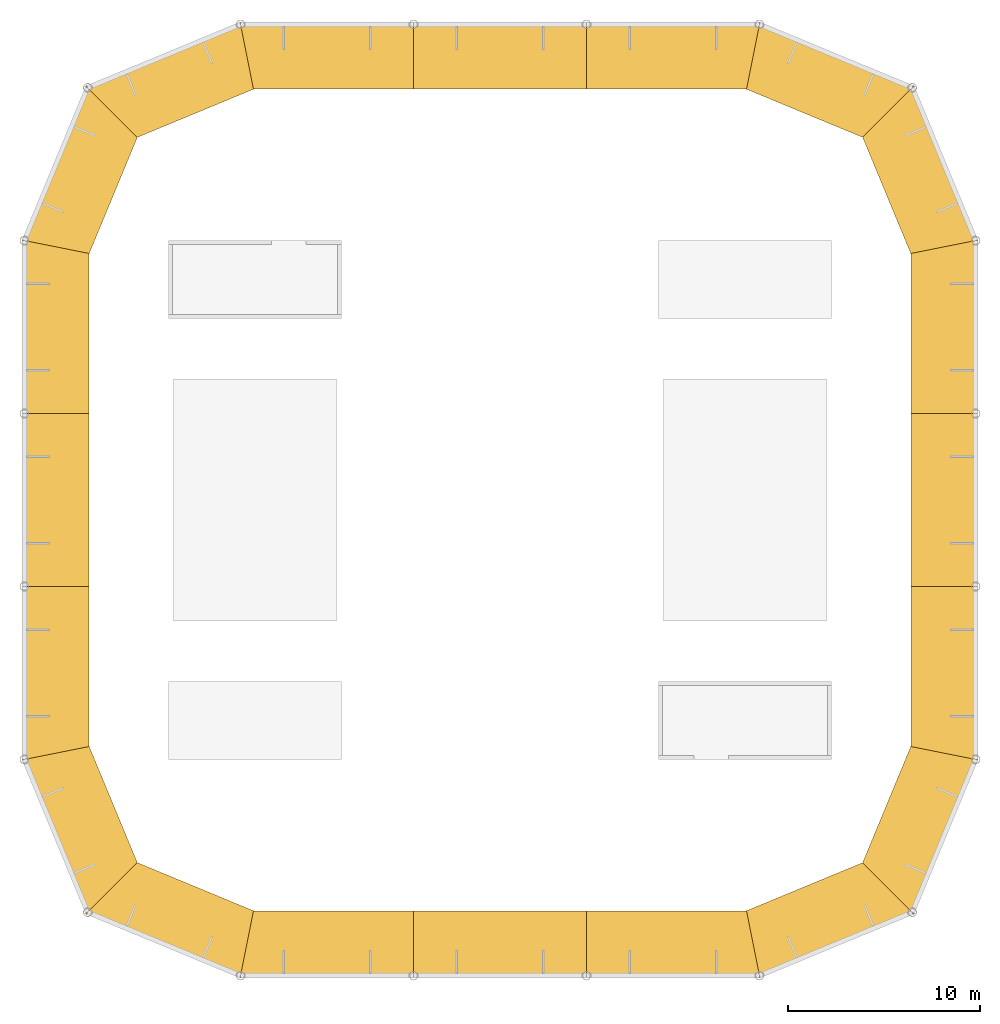
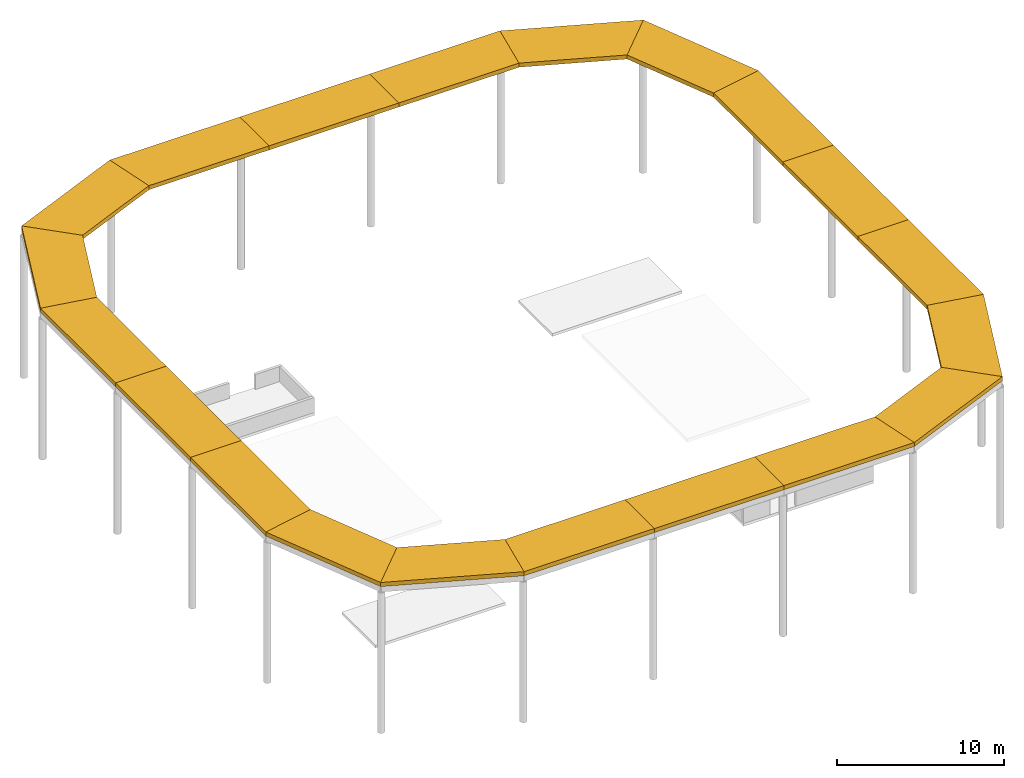
# One storey, part 4 of 4: 20 shading devices.
"""IFC4 building model written with IfcOpenShell, lengths in metres."""

from ifc_helpers import new_model, si_unit, direction, frame, origin, place, context, subcontext, project, spatial, polyline, outline, extrude, material, layer, layer_set, type_object, element, save


model = new_model("IFC4")

# Units and contexts
model_context = context("Model", 3, precision=1e-05, world=origin(), true_north=direction((0.0, 1.0)))
body_context = subcontext(model_context, "Body", "Model", "MODEL_VIEW")
ifc_project = project(units=[si_unit("LENGTHUNIT", "METRE"), si_unit("AREAUNIT", "SQUARE_METRE"), si_unit("VOLUMEUNIT", "CUBIC_METRE"), si_unit("PLANEANGLEUNIT", "RADIAN"), si_unit("MASSUNIT", "GRAM", prefix="KILO")], contexts=[model_context])

# Site, building, storey
site_placement = place(None, origin())
site = spatial("IfcSite", under=ifc_project, at=site_placement, CompositionType="ELEMENT")
building_placement = place(site_placement, origin())
building = spatial("IfcBuilding", under=site, at=building_placement, Name="Siwar Civic Tower", CompositionType="ELEMENT")
storey_placement = place(building_placement, frame((0.0, 0.0, 361.199951171875)))
storey = spatial("IfcBuildingStorey", under=building, at=storey_placement, Name="UPPER ROOF", CompositionType="ELEMENT", Elevation=361.199951171875)

# Shading devices
ifc_material = material(Name="Aluminium louvre blade, pale metal", Category="aluminium")
ifc_layer = layer(ifc_material, 0.300048828125)
ifc_layer_set = layer_set([ifc_layer], Name="Aluminium louvre blade, pale metal")
shading_device_type = type_object("IfcShadingDeviceType", Name="ENV-LOUVRE CANOPY", PredefinedType="JALOUSIE", material=ifc_layer_set)
shading_device_1_placement = place(storey_placement, frame((0.0, 0.0, 10.699951171875)))
element("IfcShadingDevice", 1, at=shading_device_1_placement, inside=storey, type_object=shading_device_type, Name="LOUVRE canopy rim 1", PredefinedType="JALOUSIE", context=body_context, shape_type="SweptSolid", body=[
    extrude(outline(polyline([(-13.52490234375, -24.875), (-4.5, -24.875), (-4.5, -21.375), (-12.82861328125, -21.375), (-13.52490234375, -24.875)])), origin(), (0.0, 0.0, 1.0), 0.300048828125),
])
shading_device_2_placement = place(storey_placement, frame((0.0, 0.0, 10.699951171875)))
element("IfcShadingDevice", 2, at=shading_device_2_placement, inside=storey, type_object=shading_device_type, Name="LOUVRE canopy rim 2", PredefinedType="JALOUSIE", context=body_context, shape_type="SweptSolid", body=[
    extrude(outline(polyline([(-4.5, -24.875), (4.5, -24.875), (4.5, -21.375), (-4.5, -21.375), (-4.5, -24.875)])), origin(), (0.0, 0.0, 1.0), 0.300048828125),
])
shading_device_3_placement = place(storey_placement, frame((0.0, 0.0, 10.699951171875)))
element("IfcShadingDevice", 3, at=shading_device_3_placement, inside=storey, type_object=shading_device_type, Name="LOUVRE canopy rim 3", PredefinedType="JALOUSIE", context=body_context, shape_type="SweptSolid", body=[
    extrude(outline(polyline([(4.5, -24.875), (13.52490234375, -24.875), (12.82861328125, -21.375), (4.5, -21.375), (4.5, -24.875)])), origin(), (0.0, 0.0, 1.0), 0.300048828125),
])
shading_device_4_placement = place(storey_placement, frame((0.0, 0.0, 10.699951171875)))
element("IfcShadingDevice", 4, at=shading_device_4_placement, inside=storey, type_object=shading_device_type, Name="LOUVRE canopy rim 4", PredefinedType="JALOUSIE", context=body_context, shape_type="SweptSolid", body=[
    extrude(outline(polyline([(13.52490234375, -24.875), (21.550537109375, -21.550537109375), (18.871826171875, -18.871826171875), (12.82861328125, -21.375), (13.52490234375, -24.875)])), origin(), (0.0, 0.0, 1.0), 0.300048828125),
])
shading_device_5_placement = place(storey_placement, frame((0.0, 0.0, 10.699951171875)))
element("IfcShadingDevice", 5, at=shading_device_5_placement, inside=storey, type_object=shading_device_type, Name="LOUVRE canopy rim 5", PredefinedType="JALOUSIE", context=body_context, shape_type="SweptSolid", body=[
    extrude(outline(polyline([(21.550537109375, -21.550537109375), (24.875, -13.52490234375), (21.375, -12.82861328125), (18.871826171875, -18.871826171875), (21.550537109375, -21.550537109375)])), origin(), (0.0, 0.0, 1.0), 0.300048828125),
])
shading_device_6_placement = place(storey_placement, frame((0.0, 0.0, 10.699951171875)))
element("IfcShadingDevice", 6, at=shading_device_6_placement, inside=storey, type_object=shading_device_type, Name="LOUVRE canopy rim 6", PredefinedType="JALOUSIE", context=body_context, shape_type="SweptSolid", body=[
    extrude(outline(polyline([(24.875, -13.52490234375), (24.875, -4.5), (21.375, -4.5), (21.375, -12.82861328125), (24.875, -13.52490234375)])), origin(), (0.0, 0.0, 1.0), 0.300048828125),
])
shading_device_7_placement = place(storey_placement, frame((0.0, 0.0, 10.699951171875)))
element("IfcShadingDevice", 7, at=shading_device_7_placement, inside=storey, type_object=shading_device_type, Name="LOUVRE canopy rim 7", PredefinedType="JALOUSIE", context=body_context, shape_type="SweptSolid", body=[
    extrude(outline(polyline([(24.875, -4.5), (24.875, 4.5), (21.375, 4.5), (21.375, -4.5), (24.875, -4.5)])), origin(), (0.0, 0.0, 1.0), 0.300048828125),
])
shading_device_8_placement = place(storey_placement, frame((0.0, 0.0, 10.699951171875)))
element("IfcShadingDevice", 8, at=shading_device_8_placement, inside=storey, type_object=shading_device_type, Name="LOUVRE canopy rim 8", PredefinedType="JALOUSIE", context=body_context, shape_type="SweptSolid", body=[
    extrude(outline(polyline([(24.875, 4.5), (24.875, 13.52490234375), (21.375, 12.82861328125), (21.375, 4.5), (24.875, 4.5)])), origin(), (0.0, 0.0, 1.0), 0.300048828125),
])
shading_device_9_placement = place(storey_placement, frame((0.0, 0.0, 10.699951171875)))
element("IfcShadingDevice", 9, at=shading_device_9_placement, inside=storey, type_object=shading_device_type, Name="LOUVRE canopy rim 9", PredefinedType="JALOUSIE", context=body_context, shape_type="SweptSolid", body=[
    extrude(outline(polyline([(24.875, 13.52490234375), (21.550537109375, 21.550537109375), (18.871826171875, 18.871826171875), (21.375, 12.82861328125), (24.875, 13.52490234375)])), origin(), (0.0, 0.0, 1.0), 0.300048828125),
])
shading_device_10_placement = place(storey_placement, frame((0.0, 0.0, 10.699951171875)))
element("IfcShadingDevice", 10, at=shading_device_10_placement, inside=storey, type_object=shading_device_type, Name="LOUVRE canopy rim 10", PredefinedType="JALOUSIE", context=body_context, shape_type="SweptSolid", body=[
    extrude(outline(polyline([(21.550537109375, 21.550537109375), (13.52490234375, 24.875), (12.82861328125, 21.375), (18.871826171875, 18.871826171875), (21.550537109375, 21.550537109375)])), origin(), (0.0, 0.0, 1.0), 0.300048828125),
])
shading_device_11_placement = place(storey_placement, frame((0.0, 0.0, 10.699951171875)))
element("IfcShadingDevice", 11, at=shading_device_11_placement, inside=storey, type_object=shading_device_type, Name="LOUVRE canopy rim 11", PredefinedType="JALOUSIE", context=body_context, shape_type="SweptSolid", body=[
    extrude(outline(polyline([(13.52490234375, 24.875), (4.5, 24.875), (4.5, 21.375), (12.82861328125, 21.375), (13.52490234375, 24.875)])), origin(), (0.0, 0.0, 1.0), 0.300048828125),
])
shading_device_12_placement = place(storey_placement, frame((0.0, 0.0, 10.699951171875)))
element("IfcShadingDevice", 12, at=shading_device_12_placement, inside=storey, type_object=shading_device_type, Name="LOUVRE canopy rim 12", PredefinedType="JALOUSIE", context=body_context, shape_type="SweptSolid", body=[
    extrude(outline(polyline([(4.5, 24.875), (-4.5, 24.875), (-4.5, 21.375), (4.5, 21.375), (4.5, 24.875)])), origin(), (0.0, 0.0, 1.0), 0.300048828125),
])
shading_device_13_placement = place(storey_placement, frame((0.0, 0.0, 10.699951171875)))
element("IfcShadingDevice", 13, at=shading_device_13_placement, inside=storey, type_object=shading_device_type, Name="LOUVRE canopy rim 13", PredefinedType="JALOUSIE", context=body_context, shape_type="SweptSolid", body=[
    extrude(outline(polyline([(-4.5, 24.875), (-13.52490234375, 24.875), (-12.82861328125, 21.375), (-4.5, 21.375), (-4.5, 24.875)])), origin(), (0.0, 0.0, 1.0), 0.300048828125),
])
shading_device_14_placement = place(storey_placement, frame((0.0, 0.0, 10.699951171875)))
element("IfcShadingDevice", 14, at=shading_device_14_placement, inside=storey, type_object=shading_device_type, Name="LOUVRE canopy rim 14", PredefinedType="JALOUSIE", context=body_context, shape_type="SweptSolid", body=[
    extrude(outline(polyline([(-13.52490234375, 24.875), (-21.550537109375, 21.550537109375), (-18.871826171875, 18.871826171875), (-12.82861328125, 21.375), (-13.52490234375, 24.875)])), origin(), (0.0, 0.0, 1.0), 0.300048828125),
])
shading_device_15_placement = place(storey_placement, frame((0.0, 0.0, 10.699951171875)))
element("IfcShadingDevice", 15, at=shading_device_15_placement, inside=storey, type_object=shading_device_type, Name="LOUVRE canopy rim 15", PredefinedType="JALOUSIE", context=body_context, shape_type="SweptSolid", body=[
    extrude(outline(polyline([(-21.550537109375, 21.550537109375), (-24.875, 13.52490234375), (-21.375, 12.82861328125), (-18.871826171875, 18.871826171875), (-21.550537109375, 21.550537109375)])), origin(), (0.0, 0.0, 1.0), 0.300048828125),
])
shading_device_16_placement = place(storey_placement, frame((0.0, 0.0, 10.699951171875)))
element("IfcShadingDevice", 16, at=shading_device_16_placement, inside=storey, type_object=shading_device_type, Name="LOUVRE canopy rim 16", PredefinedType="JALOUSIE", context=body_context, shape_type="SweptSolid", body=[
    extrude(outline(polyline([(-24.875, 13.52490234375), (-24.875, 4.5), (-21.375, 4.5), (-21.375, 12.82861328125), (-24.875, 13.52490234375)])), origin(), (0.0, 0.0, 1.0), 0.300048828125),
])
shading_device_17_placement = place(storey_placement, frame((0.0, 0.0, 10.699951171875)))
element("IfcShadingDevice", 17, at=shading_device_17_placement, inside=storey, type_object=shading_device_type, Name="LOUVRE canopy rim 17", PredefinedType="JALOUSIE", context=body_context, shape_type="SweptSolid", body=[
    extrude(outline(polyline([(-24.875, 4.5), (-24.875, -4.5), (-21.375, -4.5), (-21.375, 4.5), (-24.875, 4.5)])), origin(), (0.0, 0.0, 1.0), 0.300048828125),
])
shading_device_18_placement = place(storey_placement, frame((0.0, 0.0, 10.699951171875)))
element("IfcShadingDevice", 18, at=shading_device_18_placement, inside=storey, type_object=shading_device_type, Name="LOUVRE canopy rim 18", PredefinedType="JALOUSIE", context=body_context, shape_type="SweptSolid", body=[
    extrude(outline(polyline([(-24.875, -4.5), (-24.875, -13.52490234375), (-21.375, -12.82861328125), (-21.375, -4.5), (-24.875, -4.5)])), origin(), (0.0, 0.0, 1.0), 0.300048828125),
])
shading_device_19_placement = place(storey_placement, frame((0.0, 0.0, 10.699951171875)))
element("IfcShadingDevice", 19, at=shading_device_19_placement, inside=storey, type_object=shading_device_type, Name="LOUVRE canopy rim 19", PredefinedType="JALOUSIE", context=body_context, shape_type="SweptSolid", body=[
    extrude(outline(polyline([(-24.875, -13.52490234375), (-21.550537109375, -21.550537109375), (-18.871826171875, -18.871826171875), (-21.375, -12.82861328125), (-24.875, -13.52490234375)])), origin(), (0.0, 0.0, 1.0), 0.300048828125),
])
shading_device_20_placement = place(storey_placement, frame((0.0, 0.0, 10.699951171875)))
element("IfcShadingDevice", 20, at=shading_device_20_placement, inside=storey, type_object=shading_device_type, Name="LOUVRE canopy rim 20", PredefinedType="JALOUSIE", context=body_context, shape_type="SweptSolid", body=[
    extrude(outline(polyline([(-21.550537109375, -21.550537109375), (-13.52490234375, -24.875), (-12.82861328125, -21.375), (-18.871826171875, -18.871826171875), (-21.550537109375, -21.550537109375)])), origin(), (0.0, 0.0, 1.0), 0.300048828125),
])

save(model, "model.ifc")
